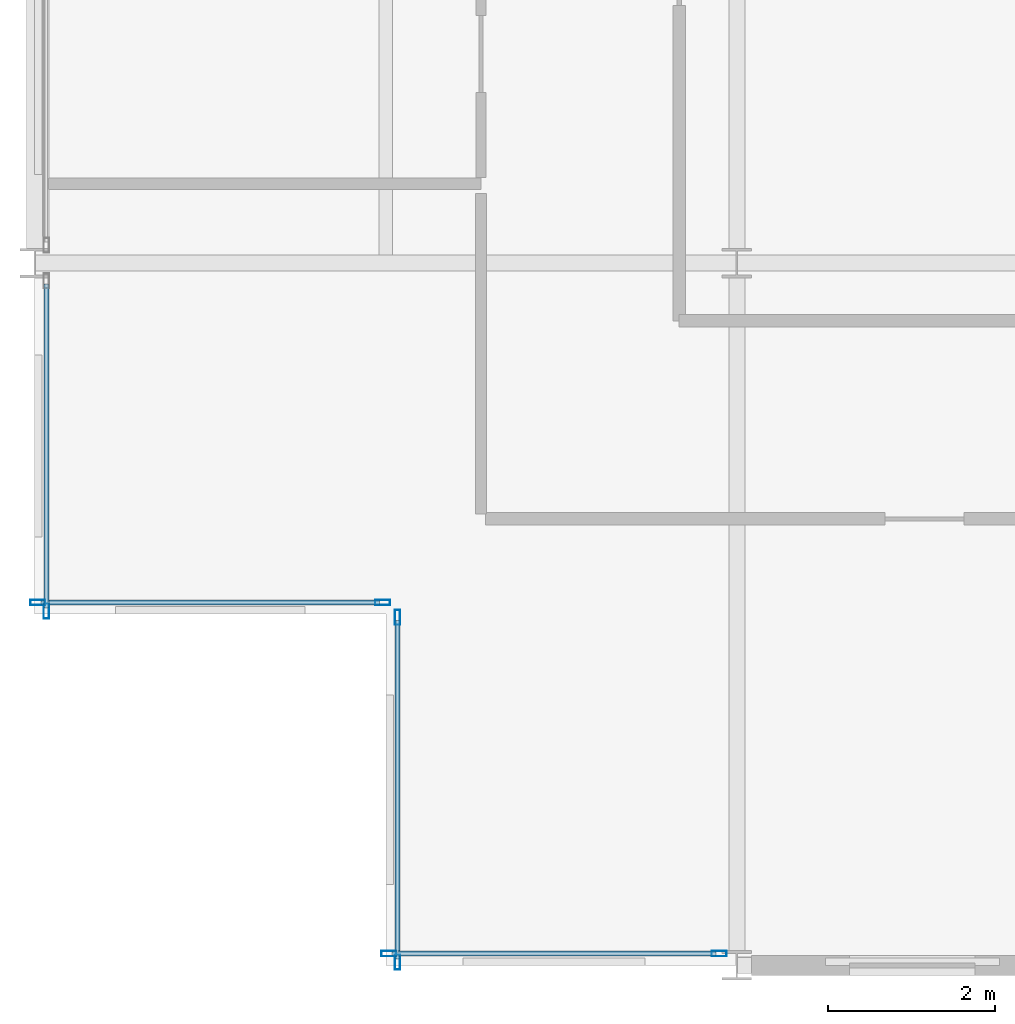
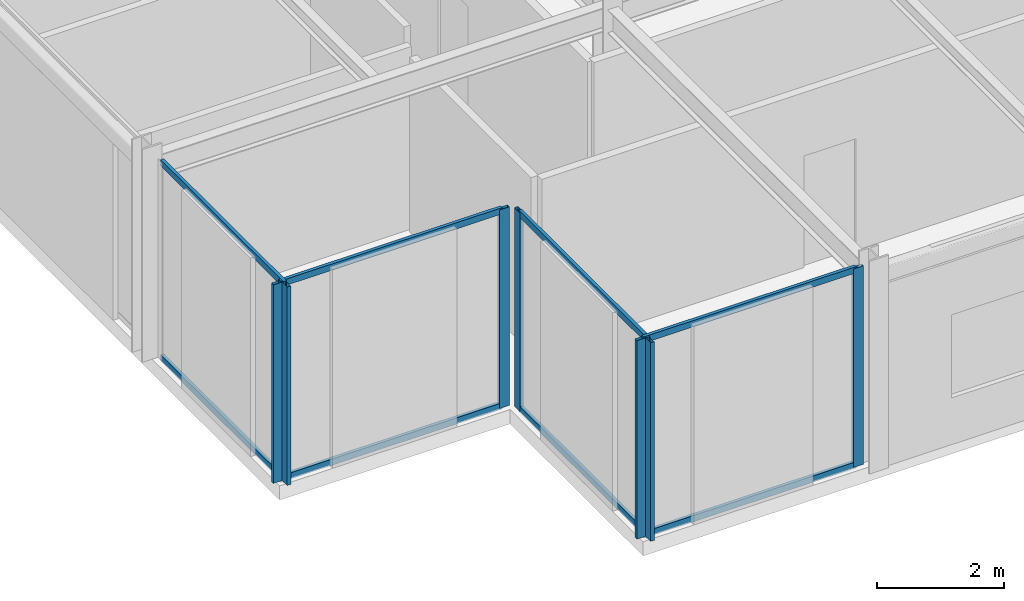
# One storey, part 2 of 25: 15 members, 4 elements without a shape of their own.
"""IFC4 building model written with IfcOpenShell, lengths in metres."""

from ifc_helpers import new_model, si_unit, direction, frame, origin, origin_2d, place, context, subcontext, project, spatial, hollow_rectangle, extrude, material, layer, layer_set, material_profile, profile_set, type_object, element, aggregate, save


model = new_model("IFC4")

# Units and contexts
model_context = context("Model", 3, precision=1e-05, world=origin(), true_north=direction((0.0, 1.0)))
body_context = subcontext(model_context, "Body", "Model", "MODEL_VIEW")
ifc_project = project(units=[si_unit("LENGTHUNIT", "METRE"), si_unit("AREAUNIT", "SQUARE_METRE"), si_unit("VOLUMEUNIT", "CUBIC_METRE"), si_unit("PLANEANGLEUNIT", "RADIAN"), si_unit("MASSUNIT", "GRAM", prefix="KILO")], contexts=[model_context])

# Site, building, storey
site_placement = place(None, origin())
site = spatial("IfcSite", under=ifc_project, at=site_placement, CompositionType="ELEMENT")
building_placement = place(site_placement, origin())
building = spatial("IfcBuilding", under=site, at=building_placement, Name="Nerrivon Quay Data Exchange", CompositionType="ELEMENT")
storey_placement = place(building_placement, frame((0.0, 0.0, 232.89990234375)))
storey = spatial("IfcBuildingStorey", under=building, at=storey_placement, Name="L55", CompositionType="ELEMENT", Elevation=232.89990234375)

# Curtain wall, members
ifc_material = material(Name="Anodised aluminium 6063-T6", Category="aluminium")
ifc_layer = layer(ifc_material, 0.195068359375)
ifc_layer_set = layer_set([ifc_layer], Name="Anodised aluminium 6063-T6")
curtain_wall_type = type_object("IfcCurtainWallType", Name="CW-SYS-06", PredefinedType="NOTDEFINED", material=ifc_layer_set)
curtain_wall_1_placement = place(storey_placement, origin())
curtain_wall_1 = element("IfcCurtainWall", 1, at=curtain_wall_1_placement, inside=storey, type_object=curtain_wall_type, Name="L55 Unitised Curtain Wall 8", PredefinedType="NOTDEFINED")
ifc_material_profile_1 = material_profile(ifc_material, hollow_rectangle(XDim=0.06494140625, YDim=0.179931640625, WallThickness=0.00341796875, at=origin_2d()), Name="ALU-MULL-180x65")
ifc_profile_set_1 = profile_set([ifc_material_profile_1], Name="Anodised aluminium 6063-T6")
member_type_1 = type_object("IfcMemberType", Name="CWM-180x65", PredefinedType="MULLION", material=ifc_profile_set_1)
member_1_placement = place(storey_placement, frame((8.1875, 0.139892578125, 0.0), z_axis=(0.0, 0.0, 1.0), x_axis=(0.0, -1.0, 0.0)))
member_1 = element("IfcMember", 2, at=member_1_placement, type_object=member_type_1, Name="CW06 mullion 1", PredefinedType="MULLION", context=body_context, shape_type="SweptSolid", body=[
    extrude(hollow_rectangle(XDim=0.06494140625, YDim=0.179931640625, WallThickness=0.00341796875, at=origin_2d()), origin(), (0.0, 0.0, 1.0), 3.8251953125),
])
member_2_placement = place(storey_placement, frame((4.237548828125, 0.139892578125, 0.0), z_axis=(0.0, 0.0, 1.0), x_axis=(0.0, -1.0, 0.0)))
member_2 = element("IfcMember", 3, at=member_2_placement, type_object=member_type_1, Name="CW06 mullion 2", PredefinedType="MULLION", context=body_context, shape_type="SweptSolid", body=[
    extrude(hollow_rectangle(XDim=0.06494140625, YDim=0.179931640625, WallThickness=0.00341796875, at=origin_2d()), origin(), (0.0, 0.0, 1.0), 3.8251953125),
])

curtain_wall_2_placement = place(storey_placement, origin())
curtain_wall_2 = element("IfcCurtainWall", 4, at=curtain_wall_2_placement, inside=storey, type_object=curtain_wall_type, Name="L55 Unitised Curtain Wall 9", PredefinedType="NOTDEFINED")
member_3_placement = place(storey_placement, frame((4.340087890625, 0.03759765625, 0.0), z_axis=(0.0, 0.0, 1.0), x_axis=(-1.0, 0.0, 0.0)))
member_3 = element("IfcMember", 5, at=member_3_placement, type_object=member_type_1, Name="CW06 mullion 1", PredefinedType="MULLION", context=body_context, shape_type="SweptSolid", body=[
    extrude(hollow_rectangle(XDim=0.06494140625, YDim=0.179931640625, WallThickness=0.00341796875, at=origin_2d()), origin(), (0.0, 0.0, 1.0), 3.8251953125),
])
member_4_placement = place(storey_placement, frame((4.340087890625, 4.16259765625, 0.0), z_axis=(0.0, 0.0, 1.0), x_axis=(-1.0, 0.0, 0.0)))
member_4 = element("IfcMember", 6, at=member_4_placement, type_object=member_type_1, Name="CW06 mullion 2", PredefinedType="MULLION", context=body_context, shape_type="SweptSolid", body=[
    extrude(hollow_rectangle(XDim=0.06494140625, YDim=0.179931640625, WallThickness=0.00341796875, at=origin_2d()), origin(), (0.0, 0.0, 1.0), 3.8251953125),
])

curtain_wall_3_placement = place(storey_placement, origin())
curtain_wall_3 = element("IfcCurtainWall", 7, at=curtain_wall_3_placement, inside=storey, type_object=curtain_wall_type, Name="L55 Unitised Curtain Wall 10", PredefinedType="NOTDEFINED")
member_5_placement = place(storey_placement, frame((4.16259765625, 4.340087890625, 0.0), z_axis=(0.0, 0.0, 1.0), x_axis=(0.0, -1.0, 0.0)))
member_5 = element("IfcMember", 8, at=member_5_placement, type_object=member_type_1, Name="CW06 mullion 1", PredefinedType="MULLION", context=body_context, shape_type="SweptSolid", body=[
    extrude(hollow_rectangle(XDim=0.06494140625, YDim=0.179931640625, WallThickness=0.00341796875, at=origin_2d()), origin(), (0.0, 0.0, 1.0), 3.8251953125),
])
member_6_placement = place(storey_placement, frame((0.03759765625, 4.340087890625, 0.0), z_axis=(0.0, 0.0, 1.0), x_axis=(0.0, -1.0, 0.0)))
member_6 = element("IfcMember", 9, at=member_6_placement, type_object=member_type_1, Name="CW06 mullion 2", PredefinedType="MULLION", context=body_context, shape_type="SweptSolid", body=[
    extrude(hollow_rectangle(XDim=0.06494140625, YDim=0.179931640625, WallThickness=0.00341796875, at=origin_2d()), origin(), (0.0, 0.0, 1.0), 3.8251953125),
])

# Curtain wall, member
curtain_wall_4_placement = place(storey_placement, origin())
curtain_wall_4 = element("IfcCurtainWall", 10, at=curtain_wall_4_placement, inside=storey, type_object=curtain_wall_type, Name="L55 Unitised Curtain Wall 11", PredefinedType="NOTDEFINED")
member_7_placement = place(storey_placement, frame((0.139892578125, 4.237548828125, 0.0), z_axis=(0.0, 0.0, 1.0), x_axis=(-1.0, 0.0, 0.0)))
member_7 = element("IfcMember", 11, at=member_7_placement, type_object=member_type_1, Name="CW06 mullion 1", PredefinedType="MULLION", context=body_context, shape_type="SweptSolid", body=[
    extrude(hollow_rectangle(XDim=0.06494140625, YDim=0.179931640625, WallThickness=0.00341796875, at=origin_2d()), origin(), (0.0, 0.0, 1.0), 3.8251953125),
])

# Member
ifc_material_profile_2 = material_profile(ifc_material, hollow_rectangle(XDim=0.06005859375, YDim=0.1201171875, WallThickness=0.003173828125, at=origin_2d()), Name="ALU-TRAN-120x60")
ifc_profile_set_2 = profile_set([ifc_material_profile_2], Name="Anodised aluminium 6063-T6")
member_type_2 = type_object("IfcMemberType", Name="CWT-120x60", PredefinedType="USERDEFINED", material=ifc_profile_set_2)
member_8_placement = place(storey_placement, frame((8.14990234375, 0.139892578125, 0.03271484375), z_axis=(-1.0, 0.0, 0.0), x_axis=(0.0, -1.0, 0.0)))
member_8 = element("IfcMember", 12, at=member_8_placement, type_object=member_type_2, Name="CW06 transom 1.1", ObjectType="TRANSOM", PredefinedType="USERDEFINED", context=body_context, shape_type="SweptSolid", body=[
    extrude(hollow_rectangle(XDim=0.06005859375, YDim=0.1201171875, WallThickness=0.003173828125, at=origin_2d()), origin(), (0.0, 0.0, 1.0), 3.875),
])

member_9_placement = place(storey_placement, frame((8.14990234375, 0.139892578125, 3.79248046875), z_axis=(-1.0, 0.0, 0.0), x_axis=(0.0, -1.0, 0.0)))
member_9 = element("IfcMember", 13, at=member_9_placement, type_object=member_type_2, Name="CW06 transom 1.2", ObjectType="TRANSOM", PredefinedType="USERDEFINED", context=body_context, shape_type="SweptSolid", body=[
    extrude(hollow_rectangle(XDim=0.06005859375, YDim=0.1201171875, WallThickness=0.003173828125, at=origin_2d()), origin(), (0.0, 0.0, 1.0), 3.875),
])

aggregate(curtain_wall_1, [member_1, member_2, member_8, member_9])

member_10_placement = place(storey_placement, frame((4.340087890625, 0.074951171875, 0.03271484375), z_axis=(0.0, 1.0, 0.0), x_axis=(-1.0, 0.0, 0.0)))
member_10 = element("IfcMember", 14, at=member_10_placement, type_object=member_type_2, Name="CW06 transom 1.1", ObjectType="TRANSOM", PredefinedType="USERDEFINED", context=body_context, shape_type="SweptSolid", body=[
    extrude(hollow_rectangle(XDim=0.06005859375, YDim=0.1201171875, WallThickness=0.003173828125, at=origin_2d()), origin(), (0.0, 0.0, 1.0), 4.050048828125),
])

member_11_placement = place(storey_placement, frame((4.340087890625, 0.074951171875, 3.79248046875), z_axis=(0.0, 1.0, 0.0), x_axis=(-1.0, 0.0, 0.0)))
member_11 = element("IfcMember", 15, at=member_11_placement, type_object=member_type_2, Name="CW06 transom 1.2", ObjectType="TRANSOM", PredefinedType="USERDEFINED", context=body_context, shape_type="SweptSolid", body=[
    extrude(hollow_rectangle(XDim=0.06005859375, YDim=0.1201171875, WallThickness=0.003173828125, at=origin_2d()), origin(), (0.0, 0.0, 1.0), 4.050048828125),
])

aggregate(curtain_wall_2, [member_3, member_4, member_10, member_11])

member_12_placement = place(storey_placement, frame((4.125, 4.340087890625, 0.03271484375), z_axis=(-1.0, 0.0, 0.0), x_axis=(0.0, -1.0, 0.0)))
member_12 = element("IfcMember", 16, at=member_12_placement, type_object=member_type_2, Name="CW06 transom 1.1", ObjectType="TRANSOM", PredefinedType="USERDEFINED", context=body_context, shape_type="SweptSolid", body=[
    extrude(hollow_rectangle(XDim=0.06005859375, YDim=0.1201171875, WallThickness=0.003173828125, at=origin_2d()), origin(), (0.0, 0.0, 1.0), 4.050048828125),
])

member_13_placement = place(storey_placement, frame((4.125, 4.340087890625, 3.79248046875), z_axis=(-1.0, 0.0, 0.0), x_axis=(0.0, -1.0, 0.0)))
member_13 = element("IfcMember", 17, at=member_13_placement, type_object=member_type_2, Name="CW06 transom 1.2", ObjectType="TRANSOM", PredefinedType="USERDEFINED", context=body_context, shape_type="SweptSolid", body=[
    extrude(hollow_rectangle(XDim=0.06005859375, YDim=0.1201171875, WallThickness=0.003173828125, at=origin_2d()), origin(), (0.0, 0.0, 1.0), 4.050048828125),
])

aggregate(curtain_wall_3, [member_5, member_6, member_12, member_13])

member_14_placement = place(storey_placement, frame((0.139892578125, 4.27490234375, 0.03271484375), z_axis=(0.0, 1.0, 0.0), x_axis=(-1.0, 0.0, 0.0)))
member_14 = element("IfcMember", 18, at=member_14_placement, type_object=member_type_2, Name="CW06 transom 1.1", ObjectType="TRANSOM", PredefinedType="USERDEFINED", context=body_context, shape_type="SweptSolid", body=[
    extrude(hollow_rectangle(XDim=0.06005859375, YDim=0.1201171875, WallThickness=0.003173828125, at=origin_2d()), origin(), (0.0, 0.0, 1.0), 3.875),
])

member_15_placement = place(storey_placement, frame((0.139892578125, 4.27490234375, 3.79248046875), z_axis=(0.0, 1.0, 0.0), x_axis=(-1.0, 0.0, 0.0)))
member_15 = element("IfcMember", 19, at=member_15_placement, type_object=member_type_2, Name="CW06 transom 1.2", ObjectType="TRANSOM", PredefinedType="USERDEFINED", context=body_context, shape_type="SweptSolid", body=[
    extrude(hollow_rectangle(XDim=0.06005859375, YDim=0.1201171875, WallThickness=0.003173828125, at=origin_2d()), origin(), (0.0, 0.0, 1.0), 3.875),
])

aggregate(curtain_wall_4, [member_7, member_14, member_15])

save(model, "model.ifc")
